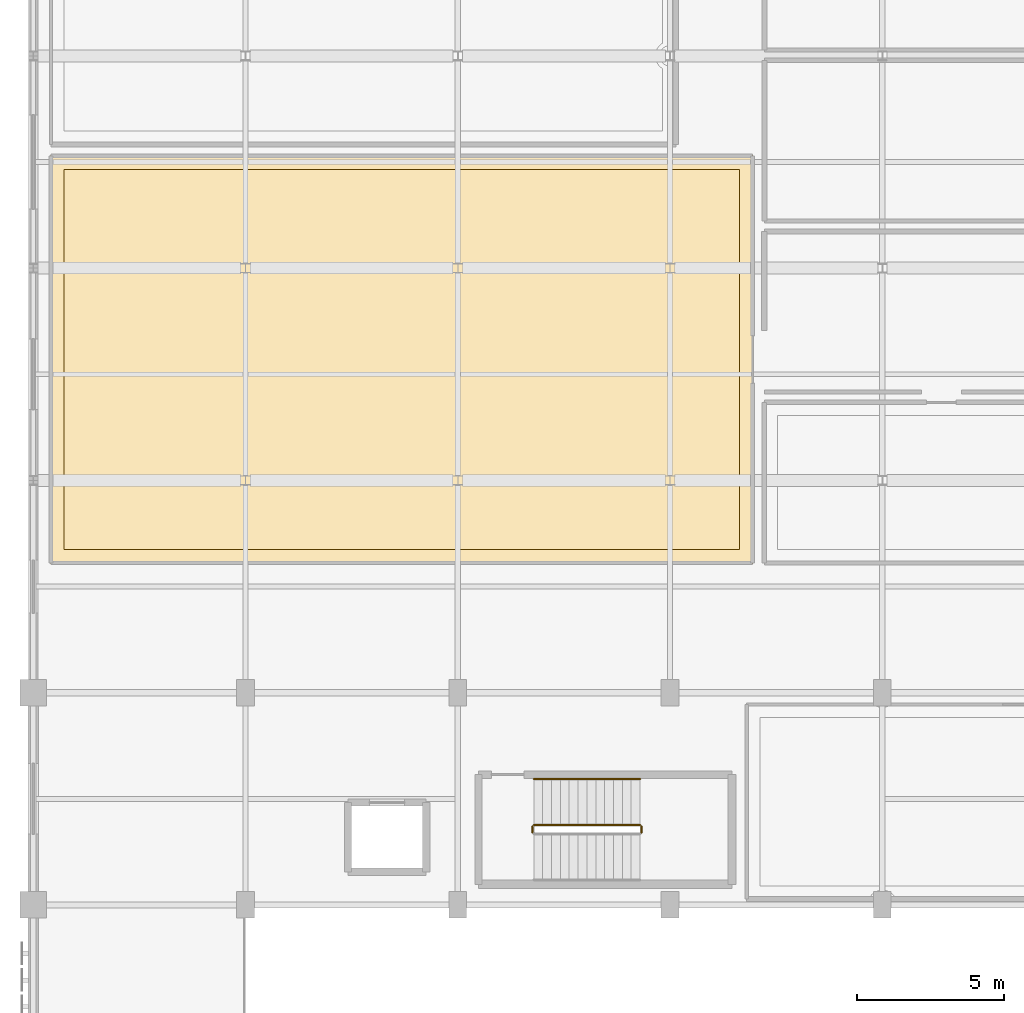
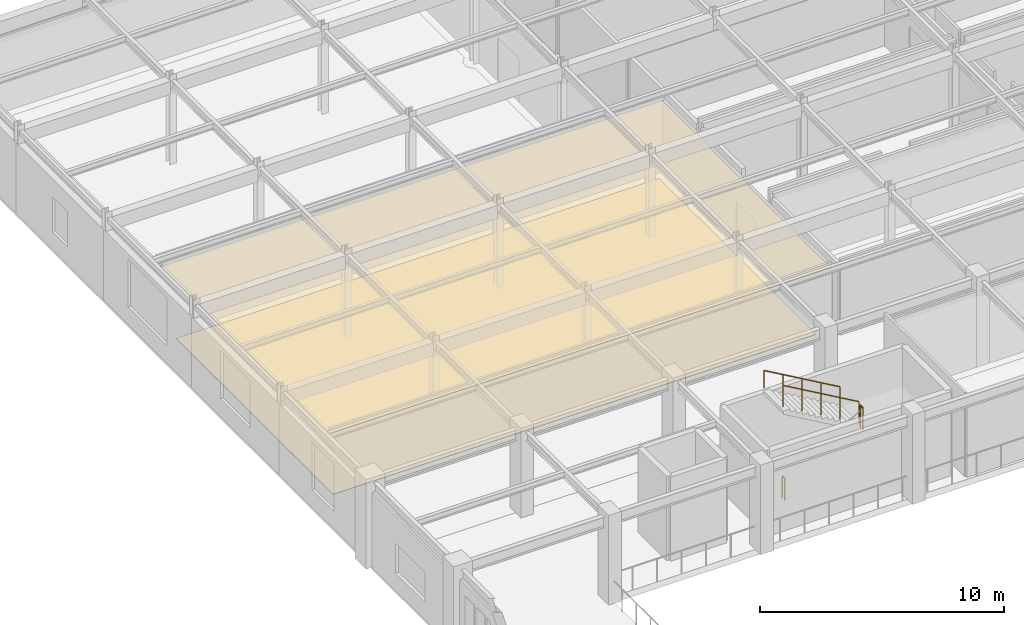
# One storey, part 96 of 106: 4 railings, 2 coverings.
"""IFC4 building model written with IfcOpenShell, lengths in metres."""

from ifc_helpers import new_model, si_unit, direction, frame, origin, origin_2d, place, context, subcontext, project, spatial, polyline, circle, outline, extrude, material, layer, layer_set, type_object, element, save


model = new_model("IFC4")

# Units and contexts
model_context = context("Model", 3, precision=1e-05, world=origin(), true_north=direction((0.0, 1.0)))
body_context = subcontext(model_context, "Body", "Model", "MODEL_VIEW")
ifc_project = project(units=[si_unit("LENGTHUNIT", "METRE"), si_unit("AREAUNIT", "SQUARE_METRE"), si_unit("VOLUMEUNIT", "CUBIC_METRE"), si_unit("PLANEANGLEUNIT", "RADIAN"), si_unit("MASSUNIT", "GRAM", prefix="KILO")], contexts=[model_context])

# Site, building, storey
site_placement = place(None, origin())
site = spatial("IfcSite", under=ifc_project, at=site_placement, CompositionType="ELEMENT")
building_placement = place(site_placement, origin())
building = spatial("IfcBuilding", under=site, at=building_placement, Name="Carrowvane Square Congress Hotel", CompositionType="ELEMENT")
storey_placement = place(building_placement, frame((0.0, 0.0, 10.5)))
storey = spatial("IfcBuildingStorey", under=building, at=storey_placement, Name="L02", CompositionType="ELEMENT", Elevation=10.5)

# Coverings
ifc_material_1 = material(Name="European oak timber", Category="wood")
ifc_layer_1 = layer(ifc_material_1, 0.02490234375)
ifc_layer_set_1 = layer_set([ifc_layer_1], Name="European oak timber")
covering_type_1 = type_object("IfcCoveringType", Name="COV-CLG-WD25", PredefinedType="CEILING", material=ifc_layer_set_1)
covering_1_placement = place(storey_placement, frame((0.0, 0.0, 3.47998046875)))
element("IfcCovering", 1, at=covering_1_placement, inside=storey, type_object=covering_type_1, Name="L02 Hotel Fitness and Cardio Gymnasium acoustic ceiling", PredefinedType="CEILING", context=body_context, shape_type="SweptSolid", body=[
    extrude(outline(polyline([(36.02001953125, 60.199951171875), (36.02001953125, 60.197998046875), (36.01953125, 60.196044921875), (36.01904296875, 60.194091796875), (36.0185546875, 60.1923828125), (36.017578125, 60.190673828125), (36.0166015625, 60.18896484375), (36.015380859375, 60.187255859375), (36.01416015625, 60.185791015625), (36.0126953125, 60.1845703125), (36.010986328125, 60.183349609375), (36.009521484375, 60.182373046875), (36.0078125, 60.181396484375), (36.005859375, 60.180908203125), (36.00390625, 60.180419921875), (36.001953125, 60.18017578125), (36.0, 60.179931640625), (12.199951171875, 60.179931640625), (12.197998046875, 60.18017578125), (12.196044921875, 60.180419921875), (12.194091796875, 60.180908203125), (12.1923828125, 60.181396484375), (12.190673828125, 60.182373046875), (12.18896484375, 60.183349609375), (12.187255859375, 60.1845703125), (12.185791015625, 60.185791015625), (12.1845703125, 60.187255859375), (12.183349609375, 60.18896484375), (12.182373046875, 60.190673828125), (12.181396484375, 60.1923828125), (12.180908203125, 60.194091796875), (12.180419921875, 60.196044921875), (12.18017578125, 60.197998046875), (12.179931640625, 60.199951171875), (12.179931640625, 74.0), (12.18017578125, 74.001953125), (12.180419921875, 74.00390625), (12.180908203125, 74.005859375), (12.181396484375, 74.0078125), (12.182373046875, 74.009521484375), (12.183349609375, 74.010986328125), (12.1845703125, 74.0126953125), (12.185791015625, 74.01416015625), (12.187255859375, 74.015380859375), (12.18896484375, 74.0166015625), (12.190673828125, 74.017578125), (12.1923828125, 74.0185546875), (12.194091796875, 74.01904296875), (12.196044921875, 74.01953125), (12.197998046875, 74.02001953125), (12.199951171875, 74.02001953125), (36.0, 74.02001953125), (36.001953125, 74.02001953125), (36.00390625, 74.01953125), (36.005859375, 74.01904296875), (36.0078125, 74.0185546875), (36.009521484375, 74.017578125), (36.010986328125, 74.0166015625), (36.0126953125, 74.015380859375), (36.01416015625, 74.01416015625), (36.015380859375, 74.0126953125), (36.0166015625, 74.010986328125), (36.017578125, 74.009521484375), (36.0185546875, 74.0078125), (36.01904296875, 74.005859375), (36.01953125, 74.00390625), (36.02001953125, 74.001953125), (36.02001953125, 74.0), (36.02001953125, 60.199951171875)])), origin(), (0.0, 0.0, 1.0), 0.02490234375),
])
ifc_material_2 = material(Name="Portland limestone cladding", Category="masonry")
ifc_layer_2 = layer(ifc_material_2, 0.02587890625)
ifc_layer_set_2 = layer_set([ifc_layer_2], Name="Portland limestone cladding")
covering_type_2 = type_object("IfcCoveringType", Name="COV-FLR-STN26", PredefinedType="FLOORING", material=ifc_layer_set_2)
covering_2_placement = place(storey_placement, origin())
element("IfcCovering", 2, at=covering_2_placement, inside=storey, type_object=covering_type_2, Name="L02 Hotel Fitness and Cardio Gymnasium floor finish", PredefinedType="FLOORING", context=body_context, shape_type="SweptSolid", body=[
    extrude(outline(polyline([(35.550048828125, 60.64990234375), (12.64990234375, 60.64990234375), (12.64990234375, 73.550048828125), (35.550048828125, 73.550048828125), (35.550048828125, 60.64990234375)])), origin(), (0.0, 0.0, 1.0), 0.02587890625),
])

# Railings
ifc_material_3 = material(Name="Stainless steel 316", Category="steel")
ifc_layer_3 = layer(ifc_material_3, 0.048095703125)
ifc_layer_set_3 = layer_set([ifc_layer_3], Name="Stainless steel 316")
railing_type_1 = type_object("IfcRailingType", Name="RLG-HR-900", PredefinedType="HANDRAIL", material=ifc_layer_set_3)
railing_1_placement = place(storey_placement, frame((32.179931640625, 52.8701171875, 2.423095703125)))
element("IfcRailing", 3, at=railing_1_placement, inside=storey, type_object=railing_type_1, Name="L02 ST6 stair handrail 2", PredefinedType="HANDRAIL", context=body_context, shape_type="SweptSolid", body=[
    extrude(circle(Radius=0.02392578125, at=origin_2d()), frame((0.0, 0.0, 0.8759765625), z_axis=(-0.866178740119, 0.0, 0.499734319579), x_axis=(0.0, -1.0, 0.0)), (0.0, 0.0, 1.0), 4.156005859375),
    extrude(circle(Radius=0.02099609375, at=origin_2d()), origin(), (0.0, 0.0, 1.0), 0.851806640625),
    extrude(circle(Radius=0.02099609375, at=origin_2d()), frame((-0.89990234375, 0.0, 0.519287109375)), (0.0, 0.0, 1.0), 0.851806640625),
    extrude(circle(Radius=0.02099609375, at=origin_2d()), frame((-1.7998046875, 0.0, 1.03857421875)), (0.0, 0.0, 1.0), 0.851806640625),
    extrude(circle(Radius=0.02099609375, at=origin_2d()), frame((-2.699951171875, 0.0, 1.5576171875)), (0.0, 0.0, 1.0), 0.851806640625),
    extrude(circle(Radius=0.02099609375, at=origin_2d()), frame((-3.599853515625, 0.0, 2.076904296875)), (0.0, 0.0, 1.0), 0.851806640625),
])
ifc_material_4 = material(Name="Galvanised steel", Category="steel")
ifc_layer_4 = layer(ifc_material_4, 0.048095703125)
ifc_layer_set_4 = layer_set([ifc_layer_4], Name="Galvanised steel")
railing_type_2 = type_object("IfcRailingType", Name="RLG-STG-1100", PredefinedType="GUARDRAIL", material=ifc_layer_set_4)
railing_2_placement = place(storey_placement, frame((32.22998046875, 51.06005859375, 2.25)))
element("IfcRailing", 4, at=railing_2_placement, inside=storey, type_object=railing_type_2, Name="L02 ST6 stair guard 2", PredefinedType="GUARDRAIL", context=body_context, shape_type="SweptSolid", body=[
    extrude(circle(Radius=0.02392578125, at=origin_2d()), frame((0.0, 0.0, 1.076171875), z_axis=(0.0, 1.0, 0.0), x_axis=(-1.0, 0.0, 0.0)), (0.0, 0.0, 1.0), 0.199951171875),
    extrude(circle(Radius=0.02099609375, at=origin_2d()), origin(), (0.0, 0.0, 1.0), 1.052001953125),
    extrude(circle(Radius=0.02099609375, at=origin_2d()), frame((0.0, 0.199951171875, 0.0)), (0.0, 0.0, 1.0), 1.052001953125),
])
railing_3_placement = place(storey_placement, frame((32.179931640625, 51.31005859375, 2.423095703125)))
element("IfcRailing", 5, at=railing_3_placement, inside=storey, type_object=railing_type_2, Name="L02 ST6 stair guard 3", PredefinedType="GUARDRAIL", context=body_context, shape_type="SweptSolid", body=[
    extrude(circle(Radius=0.02392578125, at=origin_2d()), frame((0.0, 0.0, 1.076171875), z_axis=(-0.866178740119, 0.0, 0.499734319579), x_axis=(0.0, -1.0, 0.0)), (0.0, 0.0, 1.0), 4.156005859375),
    extrude(circle(Radius=0.02099609375, at=origin_2d()), origin(), (0.0, 0.0, 1.0), 1.052001953125),
    extrude(circle(Radius=0.02099609375, at=origin_2d()), frame((-0.89990234375, 0.0, 0.519287109375)), (0.0, 0.0, 1.0), 1.052001953125),
    extrude(circle(Radius=0.02099609375, at=origin_2d()), frame((-1.7998046875, 0.0, 1.03857421875)), (0.0, 0.0, 1.0), 1.052001953125),
    extrude(circle(Radius=0.02099609375, at=origin_2d()), frame((-2.699951171875, 0.0, 1.5576171875)), (0.0, 0.0, 1.0), 1.052001953125),
    extrude(circle(Radius=0.02099609375, at=origin_2d()), frame((-3.599853515625, 0.0, 2.076904296875)), (0.0, 0.0, 1.0), 1.052001953125),
])
railing_4_placement = place(storey_placement, frame((28.530029296875, 51.06005859375, 0.0)))
element("IfcRailing", 6, at=railing_4_placement, inside=storey, type_object=railing_type_2, Name="L02 ST6 stair guard 4", PredefinedType="GUARDRAIL", context=body_context, shape_type="SweptSolid", body=[
    extrude(circle(Radius=0.02392578125, at=origin_2d()), frame((0.0, 0.0, 1.076171875), z_axis=(0.0, 1.0, 0.0), x_axis=(-1.0, 0.0, 0.0)), (0.0, 0.0, 1.0), 0.199951171875),
    extrude(circle(Radius=0.02099609375, at=origin_2d()), origin(), (0.0, 0.0, 1.0), 1.052001953125),
    extrude(circle(Radius=0.02099609375, at=origin_2d()), frame((0.0, 0.199951171875, 0.0)), (0.0, 0.0, 1.0), 1.052001953125),
])

save(model, "model.ifc")
